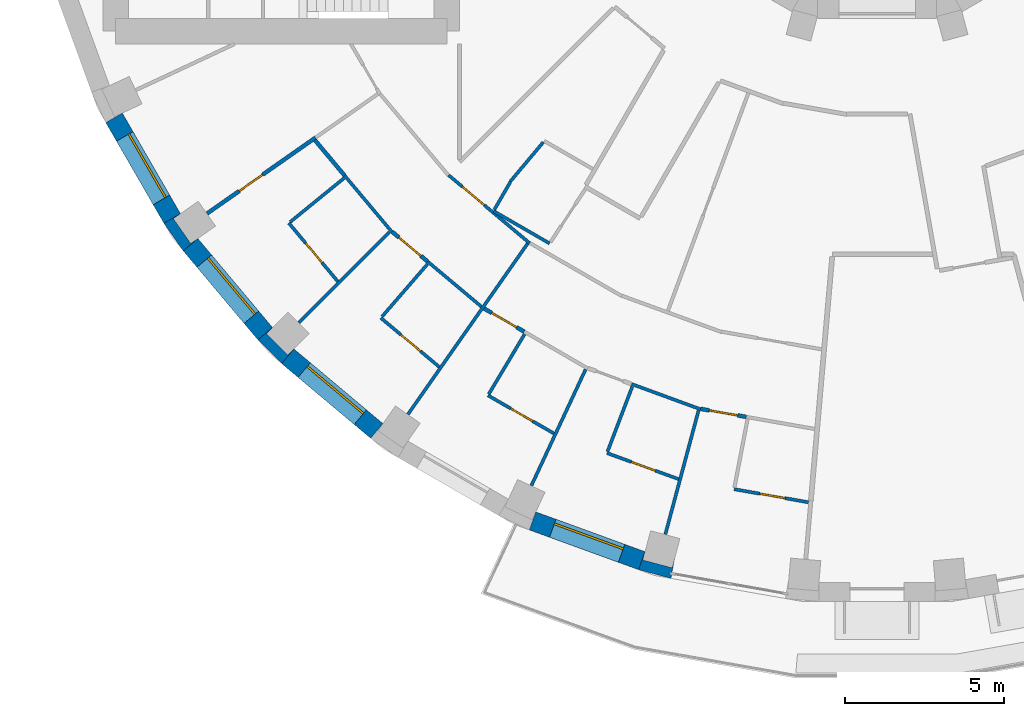
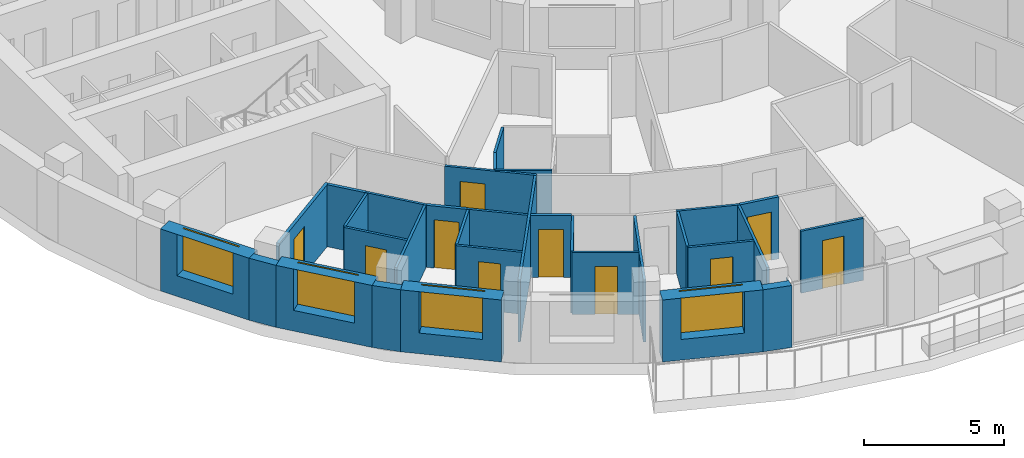
# One storey, part 5 of 16: 32 walls, 10 doors, 4 windows, 14 openings.
"""IFC4 building model written with IfcOpenShell, lengths in metres."""

import ifcopenshell
import ifcopenshell.guid

model = None  # the IFC model being written
_history = None  # IfcOwnerHistory: only IFC2X3 demands one
_inside = {}  # id of a spatial element -> (the spatial element, [elements in it])
_under = {}  # id of a project, library or spatial element -> (it, [spatial elements below it])
_declared = {}  # id of a project -> (the project, [libraries it declares])
_typed = {}  # id of a type object -> (the type object, [elements of that type])
_made_of = {}  # id of a material, layer set ... -> (it, [elements and type objects made of it])


def new_model(schema):
    """Start an empty IFC model of exactly this schema.

    Asked for "IFC4X3", IfcOpenShell would pick the latest addendum, in which some entities
    have other attributes; the version numbers below select the first issue.
    IFC2X3 requires an IfcOwnerHistory on every rooted entity: one is made here for all.
    """
    global model, _history
    if schema == "IFC4X3":
        model = ifcopenshell.file(schema_version=(4, 3, 0, 0))
    else:
        model = ifcopenshell.file(schema=schema)
    _inside.clear()
    _under.clear()
    _declared.clear()
    _typed.clear()
    _made_of.clear()
    _history = None
    if model.schema == "IFC2X3":
        org = make("IfcOrganization", Name="unknown")
        user = make(
            "IfcPersonAndOrganization",
            ThePerson=make("IfcPerson", FamilyName="unknown"),
            TheOrganization=org,
        )
        app = make(
            "IfcApplication",
            ApplicationDeveloper=org,
            Version="unknown",
            ApplicationFullName="unknown",
            ApplicationIdentifier="unknown",
        )
        _history = make(
            "IfcOwnerHistory",
            OwningUser=user,
            OwningApplication=app,
            ChangeAction="ADDED",
            CreationDate=0,
        )
    return model


def make(cls, **values):
    """One entity of the class cls with the attributes given. An attribute that is None is left unset."""
    return model.create_entity(
        cls, **{name: value for name, value in values.items() if value is not None}
    )


def rooted(cls, **values):
    """An entity with a GlobalId (a new one), such as an element, a storey or a relation."""
    return make(cls, GlobalId=ifcopenshell.guid.new(), OwnerHistory=_history, **values)


def si_unit(unit_type, name, prefix=None):
    """IfcSIUnit, for example si_unit("LENGTHUNIT", "METRE", prefix="MILLI")."""
    return make("IfcSIUnit", UnitType=unit_type, Prefix=prefix, Name=name)


def assignment(units):
    """IfcUnitAssignment: the units of a project."""
    return None if units is None else make("IfcUnitAssignment", Units=units)


def point(xyz):
    """IfcCartesianPoint."""
    return None if xyz is None else make("IfcCartesianPoint", Coordinates=xyz)


def direction(xyz):
    """IfcDirection."""
    return None if xyz is None else make("IfcDirection", DirectionRatios=xyz)


def frame(location, z_axis=None, x_axis=None):
    """IfcAxis2Placement3D, a coordinate frame: its origin and axes. An axis left out is left unset."""
    return make(
        "IfcAxis2Placement3D",
        Location=point(location),
        Axis=direction(z_axis),
        RefDirection=direction(x_axis),
    )


def frame_2d(location, x_axis=None):
    """IfcAxis2Placement2D, a coordinate frame in the plane: its origin and x axis."""
    return make(
        "IfcAxis2Placement2D", Location=point(location), RefDirection=direction(x_axis)
    )


def origin():
    """The frame at (0, 0, 0) with its axes left unset."""
    return frame((0.0, 0.0, 0.0))


def place(relative_to, where):
    """IfcLocalPlacement: puts the frame where relative to a parent placement (None: the world)."""
    return make(
        "IfcLocalPlacement", PlacementRelTo=relative_to, RelativePlacement=where
    )


def context(
    kind, dimensions, precision=None, world=None, true_north=None, identifier=None
):
    """IfcGeometricRepresentationContext, for example the 3D "Model" context."""
    return make(
        "IfcGeometricRepresentationContext",
        ContextIdentifier=identifier,
        ContextType=kind,
        CoordinateSpaceDimension=dimensions,
        Precision=precision,
        WorldCoordinateSystem=world,
        TrueNorth=true_north,
    )


def subcontext(parent, identifier, kind, view, scale=None):
    """IfcGeometricRepresentationSubContext, for example "Body" below "Model"."""
    return make(
        "IfcGeometricRepresentationSubContext",
        ContextIdentifier=identifier,
        ContextType=kind,
        ParentContext=parent,
        TargetScale=scale,
        TargetView=view,
    )


def project(units=None, contexts=None):
    """IfcProject with its units and contexts."""
    return rooted(
        "IfcProject",
        Name="project",
        RepresentationContexts=contexts,
        UnitsInContext=assignment(units),
    )


def spatial(cls, under=None, at=None, **own):
    """A site, building, storey or space (cls), placed at a placement, below another one or the project."""
    s = rooted(cls, ObjectPlacement=at, **own)
    if under is not None:
        _under.setdefault(under.id(), (under, []))[1].append(s)
    return s


def polyline(points):
    """IfcPolyline through the points."""
    return make("IfcPolyline", Points=[point(p) for p in points])


def profile(cls, at=None, kind="AREA", **sizes):
    """A parametric profile (cls). Its sizes go by their IFC names, for example OverallWidth=200.0."""
    return make(cls, ProfileType=kind, Position=at, **sizes)


def rectangle(**sizes):
    """IfcRectangleProfileDef."""
    return profile("IfcRectangleProfileDef", **sizes)


def outline(outer, holes=None, kind="AREA"):
    """IfcArbitraryClosedProfileDef: a profile drawn as a closed curve; with holes, ...WithVoids."""
    if holes is None:
        return make("IfcArbitraryClosedProfileDef", ProfileType=kind, OuterCurve=outer)
    return make(
        "IfcArbitraryProfileDefWithVoids",
        ProfileType=kind,
        OuterCurve=outer,
        InnerCurves=holes,
    )


def extrude(swept, where, along, depth):
    """IfcExtrudedAreaSolid: the profile swept, set in the frame where, extruded along a direction by depth."""
    return make(
        "IfcExtrudedAreaSolid",
        SweptArea=swept,
        Position=where,
        ExtrudedDirection=direction(along),
        Depth=depth,
    )


def shape(context_of_items, identifier, shape_type, items):
    """IfcShapeRepresentation: the items that make up one representation, for example the "Body"."""
    return make(
        "IfcShapeRepresentation",
        ContextOfItems=context_of_items,
        RepresentationIdentifier=identifier,
        RepresentationType=shape_type,
        Items=items,
    )


def material(Name=None, Category=None):
    """IfcMaterial."""
    return make("IfcMaterial", Name=Name, Category=Category)


def layer(
    of_material, thickness, ventilated=None, Name=None, Category=None, Priority=None
):
    """IfcMaterialLayer: one layer of a wall or slab, of a material (None: an air gap)."""
    return make(
        "IfcMaterialLayer",
        Material=of_material,
        LayerThickness=thickness,
        IsVentilated=ventilated,
        Name=Name,
        Category=Category,
        Priority=Priority,
    )


def layer_set(layers, Name=None):
    """IfcMaterialLayerSet."""
    return make("IfcMaterialLayerSet", MaterialLayers=layers, LayerSetName=Name)


def made_of(thing, what):
    """Note that an element or type object is made of a material, layer set ...; save() writes the relation."""
    if what is not None:
        _made_of.setdefault(what.id(), (what, []))[1].append(thing)
    return thing


def type_object(cls, material=None, **own):
    """A type object (cls), such as IfcWallType, which elements share."""
    return made_of(rooted(cls, **own), material)


def element(
    cls,
    number,
    at=None,
    inside=None,
    cuts=None,
    type_object=None,
    material=None,
    context=None,
    identifier="Body",
    shape_type=None,
    held_by="IfcProductDefinitionShape",
    body=None,
    shapes=None,
    **own,
):
    """One element of the class cls, such as IfcWall. Its Tag is "e" and its number.

    at: its placement. inside: the storey or other place that contains it. cuts: it is an
    opening in that element (IfcRelVoidsElement). A single representation is given by context,
    identifier, shape_type and body (its items); several are given by shapes. held_by: the class
    of the entity that holds the representations. save() writes the other relations.
    """
    e = rooted(cls, Tag="e%d" % number, ObjectPlacement=at, **own)
    if body is not None:
        shapes = [shape(context, identifier, shape_type, body)]
    if shapes is not None:
        e.Representation = make(held_by, Representations=shapes)
    if inside is not None:
        _inside.setdefault(inside.id(), (inside, []))[1].append(e)
    if cuts is not None:
        rooted(
            "IfcRelVoidsElement", RelatingBuildingElement=cuts, RelatedOpeningElement=e
        )
    if type_object is not None:
        _typed.setdefault(type_object.id(), (type_object, []))[1].append(e)
    return made_of(e, material)


def fill(opening, filler):
    """IfcRelFillsElement: the door or window that sits in an opening."""
    return rooted(
        "IfcRelFillsElement",
        RelatingOpeningElement=opening,
        RelatedBuildingElement=filler,
    )


def aggregate(whole, parts):
    """IfcRelAggregates: a whole, such as a stair, and the parts it consists of."""
    return rooted("IfcRelAggregates", RelatingObject=whole, RelatedObjects=parts)


def save(model, path):
    """Write the relations noted so far, then the file.

    IfcRelAggregates (storeys below a building ...), IfcRelContainedInSpatialStructure (elements
    in a storey), IfcRelDefinesByType, IfcRelAssociatesMaterial and IfcRelDeclares: one each for
    every whole, place, type object, material and project.
    """
    for whole, parts in _under.values():
        aggregate(whole, parts)
    for where, things in _inside.values():
        rooted(
            "IfcRelContainedInSpatialStructure",
            RelatedElements=things,
            RelatingStructure=where,
        )
    for kind, things in _typed.values():
        rooted("IfcRelDefinesByType", RelatedObjects=things, RelatingType=kind)
    for what, things in _made_of.values():
        rooted("IfcRelAssociatesMaterial", RelatedObjects=things, RelatingMaterial=what)
    for by, libraries in _declared.values():
        rooted("IfcRelDeclares", RelatingContext=by, RelatedDefinitions=libraries)
    model.write(path)


model = new_model("IFC4")

# Units and contexts
model_context = context("Model", 3, precision=1e-05, world=origin(), true_north=direction((0.0, 1.0)))
body_context = subcontext(model_context, "Body", "Model", "MODEL_VIEW")
ifc_project = project(units=[si_unit("LENGTHUNIT", "METRE"), si_unit("AREAUNIT", "SQUARE_METRE"), si_unit("VOLUMEUNIT", "CUBIC_METRE"), si_unit("PLANEANGLEUNIT", "RADIAN"), si_unit("MASSUNIT", "GRAM", prefix="KILO")], contexts=[model_context])

# Site, building, storey
site_placement = place(None, origin())
site = spatial("IfcSite", under=ifc_project, at=site_placement, CompositionType="ELEMENT")
building_placement = place(site_placement, origin())
building = spatial("IfcBuilding", under=site, at=building_placement, Name="Saqina Gate Tower", CompositionType="ELEMENT")
storey_placement = place(building_placement, frame((0.0, 0.0, 148.0)))
storey = spatial("IfcBuildingStorey", under=building, at=storey_placement, Name="L42", CompositionType="ELEMENT", Elevation=148.0)

# Walls
ifc_material_1 = material(Name="Brick masonry (buff)", Category="masonry")
wall_type_1 = type_object("IfcWallType", Name="BRICK PIER COPING BUFF", PredefinedType="SOLIDWALL", material=ifc_material_1)
wall_1_placement = place(storey_placement, origin())
element("IfcWall", 1, at=wall_1_placement, inside=storey, type_object=wall_type_1, Name="Pier cap L42 column 22", PredefinedType="SOLIDWALL", context=body_context, shape_type="SweptSolid", body=[
    extrude(outline(polyline([(-21.77685546875, -15.89208984375), (-21.317138671875, -15.50634765625), (-21.53759765625, -15.66064453125), (-22.08251953125, -14.88232421875), (-21.862060546875, -14.728271484375), (-22.3818359375, -15.0283203125), (-21.77685546875, -15.89208984375)])), origin(), (0.0, 0.0, 1.0), 2.699951171875),
])
wall_2_placement = place(storey_placement, origin())
element("IfcWall", 2, at=wall_2_placement, inside=storey, type_object=wall_type_1, Name="Pier cap L42 column 23", PredefinedType="SOLIDWALL", context=body_context, shape_type="SweptSolid", body=[
    extrude(outline(polyline([(-19.43212890625, -18.686279296875), (-18.686279296875, -19.43212890625), (-18.30078125, -18.972412109375), (-18.49072265625, -19.16259765625), (-19.16259765625, -18.49072265625), (-18.972412109375, -18.30078125), (-19.43212890625, -18.686279296875)])), origin(), (0.0, 0.0, 1.0), 2.699951171875),
])
wall_3_placement = place(storey_placement, origin())
element("IfcWall", 3, at=wall_3_placement, inside=storey, type_object=wall_type_1, Name="Pier cap L42 column 26", PredefinedType="SOLIDWALL", context=body_context, shape_type="SweptSolid", body=[
    extrude(outline(polyline([(-7.485595703125, -25.89892578125), (-6.466796875, -26.171875), (-6.36279296875, -25.5810546875), (-6.43212890625, -25.8408203125), (-7.349853515625, -25.5947265625), (-7.2802734375, -25.335205078125), (-7.485595703125, -25.89892578125)])), origin(), (0.0, 0.0, 1.0), 2.699951171875),
])

# Wall, opening, window
ifc_material_2 = material(Name="Brick masonry (buff)", Category="masonry")
ifc_layer_1 = layer(ifc_material_2, 0.60009765625)
ifc_layer_set_1 = layer_set([ifc_layer_1], Name="FW-BRICK-BUFF")
wall_type_2 = type_object("IfcWallType", Name="FW-BRICK-BUFF", PredefinedType="SOLIDWALL", material=ifc_layer_set_1)
wall_4_placement = place(storey_placement, frame((-23.94580078125, -11.718994140625, 0.0), z_axis=(0.0, 0.0, 1.0), x_axis=(0.499954196102, -0.866051847062, 0.0)))
wall_4 = element("IfcWall", 4, at=wall_4_placement, inside=storey, type_object=wall_type_2, Name="Facade wall L42 facet 21", PredefinedType="SOLIDWALL", context=body_context, shape_type="SweptSolid", body=[
    extrude(rectangle(XDim=3.647705078125, YDim=0.60009765625, at=frame_2d((1.82373046875, 0.0))), origin(), (0.0, 0.0, 1.0), 2.699951171875),
])
opening_1_placement = place(wall_4_placement, frame((0.673828125, 0.0, 0.89990234375)))
opening_1 = element("IfcOpeningElement", 5, at=opening_1_placement, cuts=wall_4, Name="Opening G12-W14", PredefinedType="OPENING", context=body_context, shape_type="SweptSolid", body=[
    extrude(rectangle(XDim=2.300048828125, YDim=1.800048828125, at=frame_2d((1.14990234375, 0.89990234375))), frame((0.0, 0.31201171875, 0.0), z_axis=(0.0, -1.0, 0.0), x_axis=(1.0, 0.0, 0.0)), (0.0, 0.0, 1.0), 0.6240234375),
])
ifc_material_3 = material(Name="Aluminium glazing", Category="aluminium")
window_type = type_object("IfcWindowType", Name="WN-B", PartitioningType="SINGLE_PANEL", PredefinedType="WINDOW", material=ifc_material_3)
window_1_placement = place(opening_1_placement, origin())
window_1 = element("IfcWindow", 6, at=window_1_placement, inside=storey, type_object=window_type, Name="Window L42 facet 21", OverallHeight=1.800048828125, OverallWidth=2.300048828125, PartitioningType="SINGLE_PANEL", PredefinedType="WINDOW", context=body_context, shape_type="SweptSolid", body=[
    extrude(rectangle(XDim=2.300048828125, YDim=1.800048828125, at=frame_2d((1.14990234375, 0.89990234375))), frame((0.0, 0.179931640625, 0.0), z_axis=(0.0, -1.0, 0.0), x_axis=(1.0, 0.0, 0.0)), (0.0, 0.0, 1.0), 0.06005859375),
])
fill(opening_1, window_1)

wall_5_placement = place(storey_placement, frame((-21.547119140625, -15.69921875, 0.0), z_axis=(0.0, 0.0, 1.0), x_axis=(0.642774476932, -0.766055462616, 0.0)))
wall_5 = element("IfcWall", 7, at=wall_5_placement, inside=storey, type_object=wall_type_2, Name="Facade wall L42 facet 22", PredefinedType="SOLIDWALL", context=body_context, shape_type="SweptSolid", body=[
    extrude(rectangle(XDim=3.647705078125, YDim=0.60009765625, at=frame_2d((1.82373046875, 0.0))), origin(), (0.0, 0.0, 1.0), 2.699951171875),
])
opening_2_placement = place(wall_5_placement, frame((0.673828125, 0.0, 0.89990234375)))
opening_2 = element("IfcOpeningElement", 8, at=opening_2_placement, cuts=wall_5, Name="Opening G12-W15", PredefinedType="OPENING", context=body_context, shape_type="SweptSolid", body=[
    extrude(rectangle(XDim=2.300048828125, YDim=1.800048828125, at=frame_2d((1.14990234375, 0.89990234375))), frame((0.0, 0.31201171875, 0.0), z_axis=(0.0, -1.0, 0.0), x_axis=(1.0, 0.0, 0.0)), (0.0, 0.0, 1.0), 0.6240234375),
])
window_2_placement = place(opening_2_placement, origin())
window_2 = element("IfcWindow", 9, at=window_2_placement, inside=storey, type_object=window_type, Name="Window L42 facet 22", OverallHeight=1.800048828125, OverallWidth=2.300048828125, PartitioningType="SINGLE_PANEL", PredefinedType="WINDOW", context=body_context, shape_type="SweptSolid", body=[
    extrude(rectangle(XDim=2.300048828125, YDim=1.800048828125, at=frame_2d((1.14990234375, 0.89990234375))), frame((0.0, 0.179931640625, 0.0), z_axis=(0.0, -1.0, 0.0), x_axis=(1.0, 0.0, 0.0)), (0.0, 0.0, 1.0), 0.06005859375),
])
fill(opening_2, window_2)

wall_6_placement = place(storey_placement, frame((-18.49365234375, -19.202392578125, 0.0), z_axis=(0.0, 0.0, 1.0), x_axis=(0.766055462616, -0.642774476932, 0.0)))
wall_6 = element("IfcWall", 10, at=wall_6_placement, inside=storey, type_object=wall_type_2, Name="Facade wall L42 facet 23", PredefinedType="SOLIDWALL", context=body_context, shape_type="SweptSolid", body=[
    extrude(rectangle(XDim=3.647705078125, YDim=0.60009765625, at=frame_2d((1.82373046875, 0.0))), origin(), (0.0, 0.0, 1.0), 2.699951171875),
])
opening_3_placement = place(wall_6_placement, frame((0.673828125, 0.0, 0.89990234375)))
opening_3 = element("IfcOpeningElement", 11, at=opening_3_placement, cuts=wall_6, Name="Opening G12-W16", PredefinedType="OPENING", context=body_context, shape_type="SweptSolid", body=[
    extrude(rectangle(XDim=2.300048828125, YDim=1.800048828125, at=frame_2d((1.14990234375, 0.89990234375))), frame((0.0, 0.31201171875, 0.0), z_axis=(0.0, -1.0, 0.0), x_axis=(1.0, 0.0, 0.0)), (0.0, 0.0, 1.0), 0.6240234375),
])
window_3_placement = place(opening_3_placement, origin())
window_3 = element("IfcWindow", 12, at=window_3_placement, inside=storey, type_object=window_type, Name="Window L42 facet 23", OverallHeight=1.800048828125, OverallWidth=2.300048828125, PartitioningType="SINGLE_PANEL", PredefinedType="WINDOW", context=body_context, shape_type="SweptSolid", body=[
    extrude(rectangle(XDim=2.300048828125, YDim=1.800048828125, at=frame_2d((1.14990234375, 0.89990234375))), frame((0.0, 0.179931640625, 0.0), z_axis=(0.0, -1.0, 0.0), x_axis=(1.0, 0.0, 0.0)), (0.0, 0.0, 1.0), 0.06005859375),
])
fill(opening_3, window_3)

wall_7_placement = place(storey_placement, frame((-10.810791015625, -24.369384765625, 0.0), z_axis=(0.0, 0.0, 1.0), x_axis=(0.939703505393, -0.341990236633, 0.0)))
wall_7 = element("IfcWall", 13, at=wall_7_placement, inside=storey, type_object=wall_type_2, Name="Facade wall L42 facet 25", PredefinedType="SOLIDWALL", context=body_context, shape_type="SweptSolid", body=[
    extrude(rectangle(XDim=3.64794921875, YDim=0.60009765625, at=frame_2d((1.823974609375, 0.0))), origin(), (0.0, 0.0, 1.0), 2.699951171875),
])
opening_4_placement = place(wall_7_placement, frame((0.673828125, 0.0, 0.89990234375)))
opening_4 = element("IfcOpeningElement", 14, at=opening_4_placement, cuts=wall_7, Name="Opening G12-W18", PredefinedType="OPENING", context=body_context, shape_type="SweptSolid", body=[
    extrude(rectangle(XDim=2.300048828125, YDim=1.800048828125, at=frame_2d((1.14990234375, 0.89990234375))), frame((0.0, 0.31201171875, 0.0), z_axis=(0.0, -1.0, 0.0), x_axis=(1.0, 0.0, 0.0)), (0.0, 0.0, 1.0), 0.6240234375),
])
window_4_placement = place(opening_4_placement, origin())
window_4 = element("IfcWindow", 15, at=window_4_placement, inside=storey, type_object=window_type, Name="Window L42 facet 25", OverallHeight=1.800048828125, OverallWidth=2.300048828125, PartitioningType="SINGLE_PANEL", PredefinedType="WINDOW", context=body_context, shape_type="SweptSolid", body=[
    extrude(rectangle(XDim=2.300048828125, YDim=1.800048828125, at=frame_2d((1.14990234375, 0.89990234375))), frame((0.0, 0.179931640625, 0.0), z_axis=(0.0, -1.0, 0.0), x_axis=(1.0, 0.0, 0.0)), (0.0, 0.0, 1.0), 0.06005859375),
])
fill(opening_4, window_4)

# Wall, opening, door
ifc_material_4 = material(Name="Gypsum board on steel studs, 100 mm", Category="steel")
ifc_layer_2 = layer(ifc_material_4, 0.10009765625)
ifc_layer_set_2 = layer_set([ifc_layer_2], Name="PARTITION 100")
wall_type_3 = type_object("IfcWallType", Name="PARTITION 100", PredefinedType="PARTITIONING", material=ifc_layer_set_2)
wall_8_placement = place(storey_placement, frame((-18.4599609375, -15.02197265625, 0.0), z_axis=(0.0, 0.0, 1.0), x_axis=(0.642942941421, -0.765914077477, 0.0)))
wall_8 = element("IfcWall", 16, at=wall_8_placement, inside=storey, type_object=wall_type_3, Name="PARTITION PW3-16", PredefinedType="PARTITIONING", context=body_context, shape_type="SweptSolid", body=[
    extrude(rectangle(XDim=2.390380859375, YDim=0.10009765625, at=frame_2d((1.1953125, 0.0))), origin(), (0.0, 0.0, 1.0), 2.699951171875),
])
opening_5_placement = place(wall_8_placement, frame((0.820068359375, 0.0, 0.0)))
opening_5 = element("IfcOpeningElement", 17, at=opening_5_placement, cuts=wall_8, Name="Opening G12-D34", PredefinedType="OPENING", context=body_context, shape_type="SweptSolid", body=[
    extrude(rectangle(XDim=0.800048828125, YDim=2.10009765625, at=frame_2d((0.39990234375, 1.050048828125))), frame((0.0, 0.06201171875, 0.0), z_axis=(0.0, -1.0, 0.0), x_axis=(1.0, 0.0, 0.0)), (0.0, 0.0, 1.0), 0.1240234375),
])
ifc_material_5 = material(Name="Timber door leaf, 800 mm", Category="wood")
door_type_1 = type_object("IfcDoorType", Name="DOOR 800 TIMBER", OperationType="SINGLE_SWING_LEFT", PredefinedType="DOOR", material=ifc_material_5)
door_1_placement = place(opening_5_placement, frame((0.800048828125, 0.0, 0.0), z_axis=(0.0, 0.0, 1.0), x_axis=(-1.0, 0.0, 0.0)))
door_1 = element("IfcDoor", 18, at=door_1_placement, inside=storey, type_object=door_type_1, Name="DOOR G12-D34", OperationType="SINGLE_SWING_LEFT", OverallHeight=2.10009765625, OverallWidth=0.800048828125, PredefinedType="DOOR", context=body_context, shape_type="SweptSolid", body=[
    extrude(rectangle(XDim=0.800048828125, YDim=2.10009765625, at=frame_2d((0.39990234375, 1.050048828125))), frame((0.0, 0.02490234375, 0.0), z_axis=(0.0, -1.0, 0.0), x_axis=(1.0, 0.0, 0.0)), (0.0, 0.0, 1.0), 0.050048828125),
])
fill(opening_5, door_1)

# Wall
wall_9_placement = place(storey_placement, frame((-16.708251953125, -13.53173828125, 0.0), z_axis=(0.0, 0.0, 1.0), x_axis=(0.642750453819, -0.766075619058, 0.0)))
element("IfcWall", 19, at=wall_9_placement, inside=storey, type_object=wall_type_3, Name="PARTITION PW3-17", PredefinedType="PARTITIONING", context=body_context, shape_type="SweptSolid", body=[
    extrude(rectangle(XDim=2.308349609375, YDim=0.10009765625, at=frame_2d((1.154296875, 0.0))), origin(), (0.0, 0.0, 1.0), 2.699951171875),
])

# Wall, opening, door
wall_10_placement = place(storey_placement, frame((-15.571044921875, -17.9990234375, 0.0), z_axis=(0.0, 0.0, 1.0), x_axis=(0.765914077477, -0.642942941421, 0.0)))
wall_10 = element("IfcWall", 20, at=wall_10_placement, inside=storey, type_object=wall_type_3, Name="PARTITION PW3-26", PredefinedType="PARTITIONING", context=body_context, shape_type="SweptSolid", body=[
    extrude(rectangle(XDim=2.390380859375, YDim=0.10009765625, at=frame_2d((1.1953125, 0.0))), origin(), (0.0, 0.0, 1.0), 2.699951171875),
])
opening_6_placement = place(wall_10_placement, frame((0.820068359375, 0.0, 0.0)))
opening_6 = element("IfcOpeningElement", 21, at=opening_6_placement, cuts=wall_10, Name="Opening G12-D38", PredefinedType="OPENING", context=body_context, shape_type="SweptSolid", body=[
    extrude(rectangle(XDim=0.800048828125, YDim=2.10009765625, at=frame_2d((0.39990234375, 1.050048828125))), frame((0.0, 0.06201171875, 0.0), z_axis=(0.0, -1.0, 0.0), x_axis=(1.0, 0.0, 0.0)), (0.0, 0.0, 1.0), 0.1240234375),
])
door_2_placement = place(opening_6_placement, frame((0.800048828125, 0.0, 0.0), z_axis=(0.0, 0.0, 1.0), x_axis=(-1.0, 0.0, 0.0)))
door_2 = element("IfcDoor", 22, at=door_2_placement, inside=storey, type_object=door_type_1, Name="DOOR G12-D38", OperationType="SINGLE_SWING_LEFT", OverallHeight=2.10009765625, OverallWidth=0.800048828125, PredefinedType="DOOR", context=body_context, shape_type="SweptSolid", body=[
    extrude(rectangle(XDim=0.800048828125, YDim=2.10009765625, at=frame_2d((0.39990234375, 1.050048828125))), frame((0.0, 0.02490234375, 0.0), z_axis=(0.0, -1.0, 0.0), x_axis=(1.0, 0.0, 0.0)), (0.0, 0.0, 1.0), 0.050048828125),
])
fill(opening_6, door_2)

# Wall
wall_11_placement = place(storey_placement, frame((-14.1044921875, -16.22802734375, 0.0), z_axis=(0.0, 0.0, 1.0), x_axis=(0.766093039246, -0.642729690631, 0.0)))
element("IfcWall", 23, at=wall_11_placement, inside=storey, type_object=wall_type_3, Name="PARTITION PW3-27", PredefinedType="PARTITIONING", context=body_context, shape_type="SweptSolid", body=[
    extrude(rectangle(XDim=2.20458984375, YDim=0.10009765625, at=frame_2d((1.102294921875, 0.0))), origin(), (0.0, 0.0, 1.0), 2.699951171875),
])

# Wall, opening, door
wall_12_placement = place(storey_placement, frame((-13.44677734375, -13.51708984375, 0.0), z_axis=(0.0, 0.0, 1.0), x_axis=(0.765959402554, -0.642888943472, 0.0)))
wall_12 = element("IfcWall", 24, at=wall_12_placement, inside=storey, type_object=wall_type_3, Name="PARTITION PW3-28", PredefinedType="PARTITIONING", context=body_context, shape_type="SweptSolid", body=[
    extrude(rectangle(XDim=3.32470703125, YDim=0.10009765625, at=frame_2d((1.662353515625, 0.0))), origin(), (0.0, 0.0, 1.0), 2.699951171875),
])
opening_7_placement = place(wall_12_placement, frame((0.56201171875, 0.0, 0.0)))
opening_7 = element("IfcOpeningElement", 25, at=opening_7_placement, cuts=wall_12, Name="Opening G12-D36", PredefinedType="OPENING", context=body_context, shape_type="SweptSolid", body=[
    extrude(rectangle(XDim=0.89990234375, YDim=2.10009765625, at=frame_2d((0.449951171875, 1.050048828125))), frame((0.0, 0.06201171875, 0.0), z_axis=(0.0, -1.0, 0.0), x_axis=(1.0, 0.0, 0.0)), (0.0, 0.0, 1.0), 0.1240234375),
])
ifc_material_6 = material(Name="Timber door leaf, 900 mm", Category="wood")
door_type_2 = type_object("IfcDoorType", Name="DOOR 900 TIMBER", OperationType="SINGLE_SWING_LEFT", PredefinedType="DOOR", material=ifc_material_6)
door_3_placement = place(opening_7_placement, origin())
door_3 = element("IfcDoor", 26, at=door_3_placement, inside=storey, type_object=door_type_2, Name="DOOR G12-D36", OperationType="SINGLE_SWING_RIGHT", OverallHeight=2.10009765625, OverallWidth=0.89990234375, PredefinedType="DOOR", context=body_context, shape_type="SweptSolid", body=[
    extrude(rectangle(XDim=0.89990234375, YDim=2.10009765625, at=frame_2d((0.449951171875, 1.050048828125))), frame((0.0, 0.02490234375, 0.0), z_axis=(0.0, -1.0, 0.0), x_axis=(1.0, 0.0, 0.0)), (0.0, 0.0, 1.0), 0.050048828125),
])
fill(opening_7, door_3)

wall_13_placement = place(storey_placement, frame((-12.208984375, -20.429931640625, 0.0), z_axis=(0.0, 0.0, 1.0), x_axis=(0.865989934965, -0.500061428766, 0.0)))
wall_13 = element("IfcWall", 27, at=wall_13_placement, inside=storey, type_object=wall_type_3, Name="PARTITION PW3-37", PredefinedType="PARTITIONING", context=body_context, shape_type="SweptSolid", body=[
    extrude(rectangle(XDim=2.389892578125, YDim=0.10009765625, at=frame_2d((1.19482421875, 0.0))), origin(), (0.0, 0.0, 1.0), 2.699951171875),
])
opening_8_placement = place(wall_13_placement, frame((0.820068359375, 0.0, 0.0)))
opening_8 = element("IfcOpeningElement", 28, at=opening_8_placement, cuts=wall_13, Name="Opening G12-D41", PredefinedType="OPENING", context=body_context, shape_type="SweptSolid", body=[
    extrude(rectangle(XDim=0.800048828125, YDim=2.10009765625, at=frame_2d((0.39990234375, 1.050048828125))), frame((0.0, 0.06201171875, 0.0), z_axis=(0.0, -1.0, 0.0), x_axis=(1.0, 0.0, 0.0)), (0.0, 0.0, 1.0), 0.1240234375),
])
door_4_placement = place(opening_8_placement, frame((0.800048828125, 0.0, 0.0), z_axis=(0.0, 0.0, 1.0), x_axis=(-1.0, 0.0, 0.0)))
door_4 = element("IfcDoor", 29, at=door_4_placement, inside=storey, type_object=door_type_1, Name="DOOR G12-D41", OperationType="SINGLE_SWING_LEFT", OverallHeight=2.10009765625, OverallWidth=0.800048828125, PredefinedType="DOOR", context=body_context, shape_type="SweptSolid", body=[
    extrude(rectangle(XDim=0.800048828125, YDim=2.10009765625, at=frame_2d((0.39990234375, 1.050048828125))), frame((0.0, 0.02490234375, 0.0), z_axis=(0.0, -1.0, 0.0), x_axis=(1.0, 0.0, 0.0)), (0.0, 0.0, 1.0), 0.050048828125),
])
fill(opening_8, door_4)

# Walls
wall_14_placement = place(storey_placement, frame((-12.031982421875, -14.646728515625, 0.0), z_axis=(0.0, 0.0, 1.0), x_axis=(0.866085299251, -0.499896243657, 0.0)))
element("IfcWall", 30, at=wall_14_placement, inside=storey, type_object=wall_type_3, Name="PARTITION PW3-39", PredefinedType="PARTITIONING", context=body_context, shape_type="SweptSolid", body=[
    extrude(rectangle(XDim=2.02685546875, YDim=0.10009765625, at=frame_2d((1.013427734375, 0.0))), origin(), (0.0, 0.0, 1.0), 2.699951171875),
])
wall_15_placement = place(storey_placement, frame((-7.703857421875, -20.07275390625, 0.0), z_axis=(0.0, 0.0, 1.0), x_axis=(0.939002837997, -0.343909392476, 0.0)))
element("IfcWall", 31, at=wall_15_placement, inside=storey, type_object=wall_type_3, Name="PARTITION PW3-47", PredefinedType="PARTITIONING", context=body_context, shape_type="SweptSolid", body=[
    extrude(rectangle(XDim=2.306396484375, YDim=0.10009765625, at=frame_2d((1.1533203125, 0.0))), origin(), (0.0, 0.0, 1.0), 2.699951171875),
])

# Wall, opening, door
wall_16_placement = place(storey_placement, frame((-8.47607421875, -22.239013671875, 0.0), z_axis=(0.0, 0.0, 1.0), x_axis=(0.939644231496, -0.342153062556, 0.0)))
wall_16 = element("IfcWall", 32, at=wall_16_placement, inside=storey, type_object=wall_type_3, Name="PARTITION PW3-48", PredefinedType="PARTITIONING", context=body_context, shape_type="SweptSolid", body=[
    extrude(rectangle(XDim=2.390380859375, YDim=0.10009765625, at=frame_2d((1.1953125, 0.0))), origin(), (0.0, 0.0, 1.0), 2.699951171875),
])
opening_9_placement = place(wall_16_placement, frame((0.8203125, 0.0, 0.0)))
opening_9 = element("IfcOpeningElement", 33, at=opening_9_placement, cuts=wall_16, Name="Opening G12-D44", PredefinedType="OPENING", context=body_context, shape_type="SweptSolid", body=[
    extrude(rectangle(XDim=0.800048828125, YDim=2.10009765625, at=frame_2d((0.39990234375, 1.050048828125))), frame((0.0, 0.06201171875, 0.0), z_axis=(0.0, -1.0, 0.0), x_axis=(1.0, 0.0, 0.0)), (0.0, 0.0, 1.0), 0.1240234375),
])
door_5_placement = place(opening_9_placement, frame((0.800048828125, 0.0, 0.0), z_axis=(0.0, 0.0, 1.0), x_axis=(-1.0, 0.0, 0.0)))
door_5 = element("IfcDoor", 34, at=door_5_placement, inside=storey, type_object=door_type_1, Name="DOOR G12-D44", OperationType="SINGLE_SWING_LEFT", OverallHeight=2.10009765625, OverallWidth=0.800048828125, PredefinedType="DOOR", context=body_context, shape_type="SweptSolid", body=[
    extrude(rectangle(XDim=0.800048828125, YDim=2.10009765625, at=frame_2d((0.39990234375, 1.050048828125))), frame((0.0, 0.02490234375, 0.0), z_axis=(0.0, -1.0, 0.0), x_axis=(1.0, 0.0, 0.0)), (0.0, 0.0, 1.0), 0.050048828125),
])
fill(opening_9, door_5)

wall_17_placement = place(storey_placement, frame((-4.486083984375, -23.373046875, 0.0), z_axis=(0.0, 0.0, 1.0), x_axis=(0.984805365509, -0.173661717325, 0.0)))
wall_17 = element("IfcWall", 35, at=wall_17_placement, inside=storey, type_object=wall_type_3, Name="PARTITION PW3-53", PredefinedType="PARTITIONING", context=body_context, shape_type="SweptSolid", body=[
    extrude(rectangle(XDim=2.365966796875, YDim=0.10009765625, at=frame_2d((1.18310546875, 0.0))), origin(), (0.0, 0.0, 1.0), 2.699951171875),
])
opening_10_placement = place(wall_17_placement, frame((0.820556640625, 0.0, 0.0)))
opening_10 = element("IfcOpeningElement", 36, at=opening_10_placement, cuts=wall_17, Name="Opening G12-D47", PredefinedType="OPENING", context=body_context, shape_type="SweptSolid", body=[
    extrude(rectangle(XDim=0.800048828125, YDim=2.10009765625, at=frame_2d((0.39990234375, 1.050048828125))), frame((0.0, 0.06201171875, 0.0), z_axis=(0.0, -1.0, 0.0), x_axis=(1.0, 0.0, 0.0)), (0.0, 0.0, 1.0), 0.1240234375),
])
door_6_placement = place(opening_10_placement, frame((0.800048828125, 0.0, 0.0), z_axis=(0.0, 0.0, 1.0), x_axis=(-1.0, 0.0, 0.0)))
door_6 = element("IfcDoor", 37, at=door_6_placement, inside=storey, type_object=door_type_1, Name="DOOR G12-D47", OperationType="SINGLE_SWING_LEFT", OverallHeight=2.10009765625, OverallWidth=0.800048828125, PredefinedType="DOOR", context=body_context, shape_type="SweptSolid", body=[
    extrude(rectangle(XDim=0.800048828125, YDim=2.10009765625, at=frame_2d((0.39990234375, 1.050048828125))), frame((0.0, 0.02490234375, 0.0), z_axis=(0.0, -1.0, 0.0), x_axis=(1.0, 0.0, 0.0)), (0.0, 0.0, 1.0), 0.050048828125),
])
fill(opening_10, door_6)

# Walls
wall_18_placement = place(storey_placement, frame((-18.421142578125, -14.990478515625, 0.0), z_axis=(0.0, 0.0, 1.0), x_axis=(0.77556073315, 0.631272959342, 0.0)))
element("IfcWall", 38, at=wall_18_placement, inside=storey, type_object=wall_type_3, Name="PARTITION PW3-79", PredefinedType="PARTITIONING", context=body_context, shape_type="SweptSolid", body=[
    extrude(rectangle(XDim=2.187744140625, YDim=0.10009765625, at=frame_2d((1.09375, 0.0))), origin(), (0.0, 0.0, 1.0), 2.699951171875),
])
wall_19_placement = place(storey_placement, frame((-18.14794921875, -18.14794921875, 0.0), z_axis=(0.0, 0.0, 1.0), x_axis=(0.707106781187, 0.707106781187, 0.0)))
element("IfcWall", 39, at=wall_19_placement, inside=storey, type_object=wall_type_3, Name="PARTITION PW3-87", PredefinedType="PARTITIONING", context=body_context, shape_type="SweptSolid", body=[
    extrude(rectangle(XDim=4.02294921875, YDim=0.10009765625, at=frame_2d((2.011474609375, 0.0))), origin(), (0.0, 0.0, 1.0), 2.699951171875),
])
wall_20_placement = place(storey_placement, frame((-15.538330078125, -17.961181640625, 0.0), z_axis=(0.0, 0.0, 1.0), x_axis=(0.654433202149, 0.756119821143, 0.0)))
element("IfcWall", 40, at=wall_20_placement, inside=storey, type_object=wall_type_3, Name="PARTITION PW3-89", PredefinedType="PARTITIONING", context=body_context, shape_type="SweptSolid", body=[
    extrude(rectangle(XDim=2.187255859375, YDim=0.10009765625, at=frame_2d((1.09375, 0.0))), origin(), (0.0, 0.0, 1.0), 2.699951171875),
])
wall_21_placement = place(storey_placement, frame((-11.508544921875, -13.71484375, 0.0), z_axis=(0.0, 0.0, 1.0), x_axis=(0.643138636987, 0.765749759134, 0.0)))
element("IfcWall", 41, at=wall_21_placement, inside=storey, type_object=wall_type_3, Name="PARTITION PW3-92", PredefinedType="PARTITIONING", context=body_context, shape_type="SweptSolid", body=[
    extrude(rectangle(XDim=1.60693359375, YDim=0.10009765625, at=frame_2d((0.803466796875, 0.0))), origin(), (0.0, 0.0, 1.0), 2.699951171875),
])
wall_22_placement = place(storey_placement, frame((-14.721435546875, -21.02294921875, 0.0), z_axis=(0.0, 0.0, 1.0), x_axis=(0.573845384598, 0.818963658886, 0.0)))
element("IfcWall", 42, at=wall_22_placement, inside=storey, type_object=wall_type_3, Name="PARTITION PW3-97", PredefinedType="PARTITIONING", context=body_context, shape_type="SweptSolid", body=[
    extrude(rectangle(XDim=6.543701171875, YDim=0.10009765625, at=frame_2d((3.27197265625, 0.0))), origin(), (0.0, 0.0, 1.0), 2.699951171875),
])
wall_23_placement = place(storey_placement, frame((-12.183349609375, -20.386962890625, 0.0), z_axis=(0.0, 0.0, 1.0), x_axis=(0.512903306279, 0.85844638645, 0.0)))
element("IfcWall", 43, at=wall_23_placement, inside=storey, type_object=wall_type_3, Name="PARTITION PW3-100", PredefinedType="PARTITIONING", context=body_context, shape_type="SweptSolid", body=[
    extrude(rectangle(XDim=2.188232421875, YDim=0.10009765625, at=frame_2d((1.09423828125, 0.0))), origin(), (0.0, 0.0, 1.0), 2.699951171875),
])
wall_24_placement = place(storey_placement, frame((-12.009033203125, -14.599853515625, 0.0), z_axis=(0.0, 0.0, 1.0), x_axis=(0.499729383125, 0.866181588145, 0.0)))
element("IfcWall", 44, at=wall_24_placement, inside=storey, type_object=wall_type_3, Name="PARTITION PW3-102", PredefinedType="PARTITIONING", context=body_context, shape_type="SweptSolid", body=[
    extrude(rectangle(XDim=1.0166015625, YDim=0.10009765625, at=frame_2d((0.50830078125, 0.0))), origin(), (0.0, 0.0, 1.0), 2.699951171875),
])
wall_25_placement = place(storey_placement, frame((-10.84765625, -23.260009765625, 0.0), z_axis=(0.0, 0.0, 1.0), x_axis=(0.422895432818, 0.906178488434, 0.0)))
element("IfcWall", 45, at=wall_25_placement, inside=storey, type_object=wall_type_3, Name="PARTITION PW3-106", PredefinedType="PARTITIONING", context=body_context, shape_type="SweptSolid", body=[
    extrude(rectangle(XDim=4.022705078125, YDim=0.10009765625, at=frame_2d((2.01123046875, 0.0))), origin(), (0.0, 0.0, 1.0), 2.699951171875),
])
wall_26_placement = place(storey_placement, frame((-8.458251953125, -22.1923828125, 0.0), z_axis=(0.0, 0.0, 1.0), x_axis=(0.35615776917, 0.934425836255, 0.0)))
element("IfcWall", 46, at=wall_26_placement, inside=storey, type_object=wall_type_3, Name="PARTITION PW3-108", PredefinedType="PARTITIONING", context=body_context, shape_type="SweptSolid", body=[
    extrude(rectangle(XDim=2.1875, YDim=0.10009765625, at=frame_2d((1.09375, 0.0))), origin(), (0.0, 0.0, 1.0), 2.699951171875),
])
wall_27_placement = place(storey_placement, frame((-6.64404296875, -24.7900390625, 0.0), z_axis=(0.0, 0.0, 1.0), x_axis=(0.259176889868, 0.965829871022, 0.0)))
element("IfcWall", 47, at=wall_27_placement, inside=storey, type_object=wall_type_3, Name="PARTITION PW3-112", PredefinedType="PARTITIONING", context=body_context, shape_type="SweptSolid", body=[
    extrude(rectangle(XDim=4.023193359375, YDim=0.10009765625, at=frame_2d((2.01171875, 0.0))), origin(), (0.0, 0.0, 1.0), 2.699951171875),
])
ifc_material_7 = material(Name="Gypsum board on steel studs, 125 mm, fire rated", Category="steel")
ifc_layer_3 = layer(ifc_material_7, 0.125)
ifc_layer_set_3 = layer_set([ifc_layer_3], Name="PARTITION EI 30 125")
wall_type_4 = type_object("IfcWallType", Name="PARTITION EI 30 125", PredefinedType="PARTITIONING", material=ifc_layer_set_3)
wall_28_placement = place(storey_placement, frame((-17.642333984375, -12.418212890625, 0.0), z_axis=(0.0, 0.0, 1.0), x_axis=(0.642675879231, -0.76613818222, 0.0)))
element("IfcWall", 48, at=wall_28_placement, inside=storey, type_object=wall_type_4, Name="PARTITION PW1-04", PredefinedType="PARTITIONING", context=body_context, shape_type="SweptSolid", body=[
    extrude(rectangle(XDim=1.453369140625, YDim=0.125, at=frame_2d((0.7265625, 0.0))), origin(), (0.0, 0.0, 1.0), 2.699951171875),
])

# Wall, opening, door
wall_29_placement = place(storey_placement, frame((-15.21875, -15.292724609375, 0.0), z_axis=(0.0, 0.0, 1.0), x_axis=(0.766084916972, -0.642739371742, 0.0)))
wall_29 = element("IfcWall", 49, at=wall_29_placement, inside=storey, type_object=wall_type_4, Name="PARTITION PW1-11", PredefinedType="PARTITIONING", context=body_context, shape_type="SweptSolid", body=[
    extrude(rectangle(XDim=1.454833984375, YDim=0.125, at=frame_2d((0.7275390625, 0.0))), origin(), (0.0, 0.0, 1.0), 2.699951171875),
])
opening_11_placement = place(wall_29_placement, frame((0.277587890625, 0.0, 0.0)))
opening_11 = element("IfcOpeningElement", 50, at=opening_11_placement, cuts=wall_29, Name="Opening G12-D35", PredefinedType="OPENING", context=body_context, shape_type="SweptSolid", body=[
    extrude(rectangle(XDim=0.89990234375, YDim=2.10009765625, at=frame_2d((0.449951171875, 1.050048828125))), frame((0.0, 0.074462890625, 0.0), z_axis=(0.0, -1.0, 0.0), x_axis=(1.0, 0.0, 0.0)), (0.0, 0.0, 1.0), 0.14892578125),
])
ifc_material_8 = material(Name="Fire door leaf EI 30, 900 mm")
door_type_3 = type_object("IfcDoorType", Name="DOOR 900 EI 30", OperationType="SINGLE_SWING_LEFT", PredefinedType="DOOR", material=ifc_material_8)
door_7_placement = place(opening_11_placement, origin())
door_7 = element("IfcDoor", 51, at=door_7_placement, inside=storey, type_object=door_type_3, Name="DOOR G12-D35", OperationType="SINGLE_SWING_LEFT", OverallHeight=2.10009765625, OverallWidth=0.89990234375, PredefinedType="DOOR", context=body_context, shape_type="SweptSolid", body=[
    extrude(rectangle(XDim=0.89990234375, YDim=2.10009765625, at=frame_2d((0.449951171875, 1.050048828125))), frame((0.0, 0.02490234375, 0.0), z_axis=(0.0, -1.0, 0.0), x_axis=(1.0, 0.0, 0.0)), (0.0, 0.0, 1.0), 0.050048828125),
])
fill(opening_11, door_7)

wall_30_placement = place(storey_placement, frame((-12.333740234375, -17.701904296875, 0.0), z_axis=(0.0, 0.0, 1.0), x_axis=(0.866110229381, -0.499853048967, 0.0)))
wall_30 = element("IfcWall", 52, at=wall_30_placement, inside=storey, type_object=wall_type_4, Name="PARTITION PW1-17", PredefinedType="PARTITIONING", context=body_context, shape_type="SweptSolid", body=[
    extrude(rectangle(XDim=1.45654296875, YDim=0.125, at=frame_2d((0.728271484375, 0.0))), origin(), (0.0, 0.0, 1.0), 2.699951171875),
])
opening_12_placement = place(wall_30_placement, frame((0.2783203125, 0.0, 0.0)))
opening_12 = element("IfcOpeningElement", 53, at=opening_12_placement, cuts=wall_30, Name="Opening G12-D40", PredefinedType="OPENING", context=body_context, shape_type="SweptSolid", body=[
    extrude(rectangle(XDim=0.89990234375, YDim=2.10009765625, at=frame_2d((0.449951171875, 1.050048828125))), frame((0.0, 0.074462890625, 0.0), z_axis=(0.0, -1.0, 0.0), x_axis=(1.0, 0.0, 0.0)), (0.0, 0.0, 1.0), 0.14892578125),
])
door_8_placement = place(opening_12_placement, origin())
door_8 = element("IfcDoor", 54, at=door_8_placement, inside=storey, type_object=door_type_3, Name="DOOR G12-D40", OperationType="SINGLE_SWING_LEFT", OverallHeight=2.10009765625, OverallWidth=0.89990234375, PredefinedType="DOOR", context=body_context, shape_type="SweptSolid", body=[
    extrude(rectangle(XDim=0.89990234375, YDim=2.10009765625, at=frame_2d((0.449951171875, 1.050048828125))), frame((0.0, 0.02490234375, 0.0), z_axis=(0.0, -1.0, 0.0), x_axis=(1.0, 0.0, 0.0)), (0.0, 0.0, 1.0), 0.050048828125),
])
fill(opening_12, door_8)

wall_31_placement = place(storey_placement, frame((-5.53564453125, -20.852783203125, 0.0), z_axis=(0.0, 0.0, 1.0), x_axis=(0.984862774054, -0.173335848233, 0.0)))
wall_31 = element("IfcWall", 55, at=wall_31_placement, inside=storey, type_object=wall_type_4, Name="PARTITION PW1-24", PredefinedType="PARTITIONING", context=body_context, shape_type="SweptSolid", body=[
    extrude(rectangle(XDim=1.456298828125, YDim=0.125, at=frame_2d((0.72802734375, 0.0))), origin(), (0.0, 0.0, 1.0), 2.699951171875),
])
opening_13_placement = place(wall_31_placement, frame((0.2783203125, 0.0, 0.0)))
opening_13 = element("IfcOpeningElement", 56, at=opening_13_placement, cuts=wall_31, Name="Opening G12-D45", PredefinedType="OPENING", context=body_context, shape_type="SweptSolid", body=[
    extrude(rectangle(XDim=0.89990234375, YDim=2.10009765625, at=frame_2d((0.449951171875, 1.050048828125))), frame((0.0, 0.074462890625, 0.0), z_axis=(0.0, -1.0, 0.0), x_axis=(1.0, 0.0, 0.0)), (0.0, 0.0, 1.0), 0.14892578125),
])
door_9_placement = place(opening_13_placement, origin())
door_9 = element("IfcDoor", 57, at=door_9_placement, inside=storey, type_object=door_type_3, Name="DOOR G12-D45", OperationType="SINGLE_SWING_LEFT", OverallHeight=2.10009765625, OverallWidth=0.89990234375, PredefinedType="DOOR", context=body_context, shape_type="SweptSolid", body=[
    extrude(rectangle(XDim=0.89990234375, YDim=2.10009765625, at=frame_2d((0.449951171875, 1.050048828125))), frame((0.0, 0.02490234375, 0.0), z_axis=(0.0, -1.0, 0.0), x_axis=(1.0, 0.0, 0.0)), (0.0, 0.0, 1.0), 0.050048828125),
])
fill(opening_13, door_9)

wall_32_placement = place(storey_placement, frame((-21.023681640625, -14.720458984375, 0.0), z_axis=(0.0, 0.0, 1.0), x_axis=(0.819381203096, 0.573249024433, 0.0)))
wall_32 = element("IfcWall", 58, at=wall_32_placement, inside=storey, type_object=wall_type_4, Name="PARTITION PW1-42", PredefinedType="PARTITIONING", context=body_context, shape_type="SweptSolid", body=[
    extrude(rectangle(XDim=4.148193359375, YDim=0.125, at=frame_2d((2.07421875, 0.0))), origin(), (0.0, 0.0, 1.0), 2.699951171875),
])
opening_14_placement = place(wall_32_placement, frame((1.2255859375, 0.0, 0.0)))
opening_14 = element("IfcOpeningElement", 59, at=opening_14_placement, cuts=wall_32, Name="Opening G12-D33", PredefinedType="OPENING", context=body_context, shape_type="SweptSolid", body=[
    extrude(rectangle(XDim=0.89990234375, YDim=2.10009765625, at=frame_2d((0.449951171875, 1.050048828125))), frame((0.0, 0.074462890625, 0.0), z_axis=(0.0, -1.0, 0.0), x_axis=(1.0, 0.0, 0.0)), (0.0, 0.0, 1.0), 0.14892578125),
])
door_10_placement = place(opening_14_placement, origin())
door_10 = element("IfcDoor", 60, at=door_10_placement, inside=storey, type_object=door_type_3, Name="DOOR G12-D33", OperationType="SINGLE_SWING_LEFT", OverallHeight=2.10009765625, OverallWidth=0.89990234375, PredefinedType="DOOR", context=body_context, shape_type="SweptSolid", body=[
    extrude(rectangle(XDim=0.89990234375, YDim=2.10009765625, at=frame_2d((0.449951171875, 1.050048828125))), frame((0.0, 0.02490234375, 0.0), z_axis=(0.0, -1.0, 0.0), x_axis=(1.0, 0.0, 0.0)), (0.0, 0.0, 1.0), 0.050048828125),
])
fill(opening_14, door_10)

save(model, "model.ifc")
